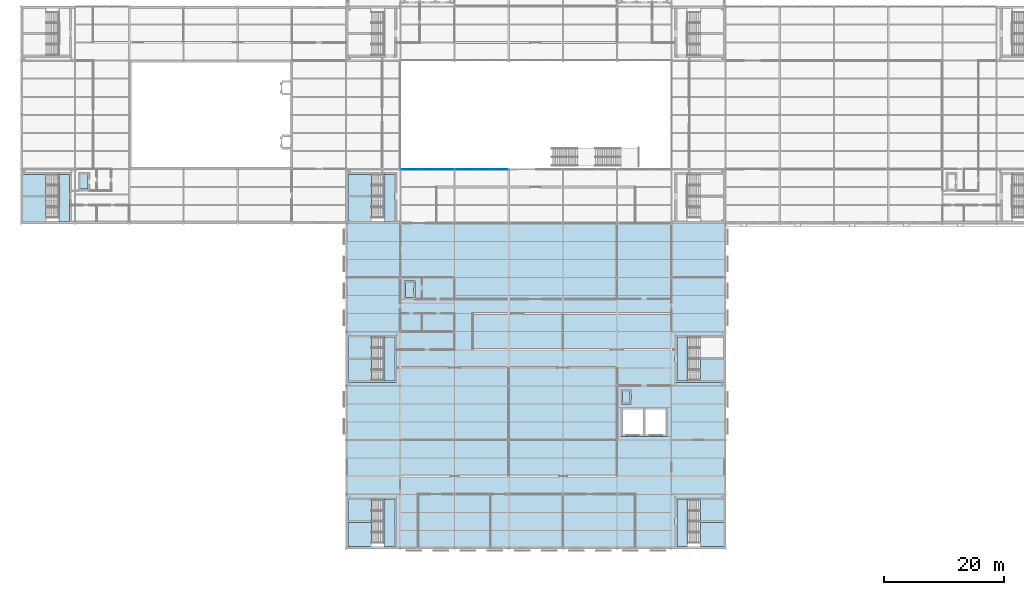
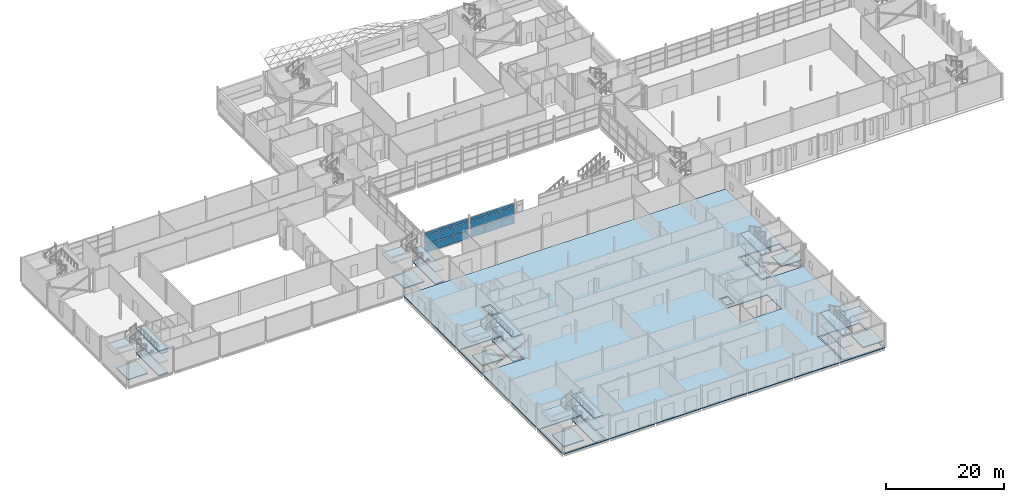
# One storey, part 67 of 112: 32 slabs, 18 plates, 8 elements without a shape of their own.
"""IFC4 building model written with IfcOpenShell, lengths in metres."""

from ifc_helpers import new_model, si_unit, direction, frame, origin, origin_2d, place, context, subcontext, project, spatial, polyline, rectangle, outline, extrude, material, layer, layer_set, type_object, element, aggregate, save


model = new_model("IFC4")

# Units and contexts
model_context = context("Model", 3, precision=1e-05, world=origin(), true_north=direction((0.0, 1.0)))
body_context = subcontext(model_context, "Body", "Model", "MODEL_VIEW")
ifc_project = project(units=[si_unit("LENGTHUNIT", "METRE"), si_unit("AREAUNIT", "SQUARE_METRE"), si_unit("VOLUMEUNIT", "CUBIC_METRE"), si_unit("PLANEANGLEUNIT", "RADIAN"), si_unit("MASSUNIT", "GRAM", prefix="KILO")], contexts=[model_context])

# Site, building, storey
site_placement = place(None, origin())
site = spatial("IfcSite", under=ifc_project, at=site_placement, CompositionType="ELEMENT")
building_placement = place(site_placement, origin())
building = spatial("IfcBuilding", under=site, at=building_placement, Name="Shorebreak Coast Museum", CompositionType="ELEMENT")
storey_placement = place(building_placement, frame((0.0, 0.0, 6.0)))
storey = spatial("IfcBuildingStorey", under=building, at=storey_placement, Name="L01", CompositionType="ELEMENT", Elevation=6.0)

# Curtain wall, plates
ifc_material_1 = material(Name="Aluminium", Category="aluminium")
ifc_layer_1 = layer(ifc_material_1, 0.1201171875)
ifc_layer_set_1 = layer_set([ifc_layer_1], Name="Aluminium")
curtain_wall_type = type_object("IfcCurtainWallType", Name="Atrium fire screen", PredefinedType="NOTDEFINED", material=ifc_layer_set_1)
curtain_wall_1_placement = place(storey_placement, origin())
curtain_wall_1 = element("IfcCurtainWall", 1, at=curtain_wall_1_placement, inside=storey, type_object=curtain_wall_type, Name="Atrium screen L01 S 1", PredefinedType="NOTDEFINED")
ifc_material_2 = material(Name="Glass", Category="glass")
ifc_layer_2 = layer(ifc_material_2, 0.034912109375)
ifc_layer_set_2 = layer_set([ifc_layer_2], Name="Glass")
plate_type = type_object("IfcPlateType", Name="Fire-resisting glass panel 35", PredefinedType="CURTAIN_PANEL", material=ifc_layer_set_2)
plate_1_placement = place(storey_placement, frame((64.6162109375, 62.93994140625, 0.119873046875), z_axis=(0.0, 0.0, 1.0), x_axis=(1.0, 0.0, 0.0)))
plate_1 = element("IfcPlate", 2, at=plate_1_placement, type_object=plate_type, Name="CW5 panel 1.1", PredefinedType="CURTAIN_PANEL", context=body_context, shape_type="SweptSolid", body=[
    extrude(rectangle(XDim=2.8212890625, YDim=0.034912109375, at=origin_2d()), origin(), (0.0, 0.0, 1.0), 1.6201171875),
])
plate_2_placement = place(storey_placement, frame((64.6162109375, 62.93994140625, 1.85986328125), z_axis=(0.0, 0.0, 1.0), x_axis=(1.0, 0.0, 0.0)))
plate_2 = element("IfcPlate", 3, at=plate_2_placement, type_object=plate_type, Name="CW5 panel 1.2", PredefinedType="CURTAIN_PANEL", context=body_context, shape_type="SweptSolid", body=[
    extrude(rectangle(XDim=2.8212890625, YDim=0.034912109375, at=origin_2d()), origin(), (0.0, 0.0, 1.0), 1.679931640625),
])
plate_3_placement = place(storey_placement, frame((64.6162109375, 62.93994140625, 3.66015625), z_axis=(0.0, 0.0, 1.0), x_axis=(1.0, 0.0, 0.0)))
plate_3 = element("IfcPlate", 4, at=plate_3_placement, type_object=plate_type, Name="CW5 panel 1.3", PredefinedType="CURTAIN_PANEL", context=body_context, shape_type="SweptSolid", body=[
    extrude(rectangle(XDim=2.8212890625, YDim=0.034912109375, at=origin_2d()), origin(), (0.0, 0.0, 1.0), 0.642333984375),
])
plate_4_placement = place(storey_placement, frame((67.5, 62.93994140625, 0.119873046875), z_axis=(0.0, 0.0, 1.0), x_axis=(1.0, 0.0, 0.0)))
plate_4 = element("IfcPlate", 5, at=plate_4_placement, type_object=plate_type, Name="CW5 panel 2.1", PredefinedType="CURTAIN_PANEL", context=body_context, shape_type="SweptSolid", body=[
    extrude(rectangle(XDim=2.846435546875, YDim=0.034912109375, at=origin_2d()), origin(), (0.0, 0.0, 1.0), 1.6201171875),
])
plate_5_placement = place(storey_placement, frame((67.5, 62.93994140625, 1.85986328125), z_axis=(0.0, 0.0, 1.0), x_axis=(1.0, 0.0, 0.0)))
plate_5 = element("IfcPlate", 6, at=plate_5_placement, type_object=plate_type, Name="CW5 panel 2.2", PredefinedType="CURTAIN_PANEL", context=body_context, shape_type="SweptSolid", body=[
    extrude(rectangle(XDim=2.846435546875, YDim=0.034912109375, at=origin_2d()), origin(), (0.0, 0.0, 1.0), 1.679931640625),
])
plate_6_placement = place(storey_placement, frame((67.5, 62.93994140625, 3.66015625), z_axis=(0.0, 0.0, 1.0), x_axis=(1.0, 0.0, 0.0)))
plate_6 = element("IfcPlate", 7, at=plate_6_placement, type_object=plate_type, Name="CW5 panel 2.3", PredefinedType="CURTAIN_PANEL", context=body_context, shape_type="SweptSolid", body=[
    extrude(rectangle(XDim=2.846435546875, YDim=0.034912109375, at=origin_2d()), origin(), (0.0, 0.0, 1.0), 0.642333984375),
])
plate_7_placement = place(storey_placement, frame((70.3837890625, 62.93994140625, 0.119873046875), z_axis=(0.0, 0.0, 1.0), x_axis=(1.0, 0.0, 0.0)))
plate_7 = element("IfcPlate", 8, at=plate_7_placement, type_object=plate_type, Name="CW5 panel 3.1", PredefinedType="CURTAIN_PANEL", context=body_context, shape_type="SweptSolid", body=[
    extrude(rectangle(XDim=2.8212890625, YDim=0.034912109375, at=origin_2d()), origin(), (0.0, 0.0, 1.0), 1.6201171875),
])
plate_8_placement = place(storey_placement, frame((70.3837890625, 62.93994140625, 1.85986328125), z_axis=(0.0, 0.0, 1.0), x_axis=(1.0, 0.0, 0.0)))
plate_8 = element("IfcPlate", 9, at=plate_8_placement, type_object=plate_type, Name="CW5 panel 3.2", PredefinedType="CURTAIN_PANEL", context=body_context, shape_type="SweptSolid", body=[
    extrude(rectangle(XDim=2.8212890625, YDim=0.034912109375, at=origin_2d()), origin(), (0.0, 0.0, 1.0), 1.679931640625),
])
plate_9_placement = place(storey_placement, frame((70.3837890625, 62.93994140625, 3.66015625), z_axis=(0.0, 0.0, 1.0), x_axis=(1.0, 0.0, 0.0)))
plate_9 = element("IfcPlate", 10, at=plate_9_placement, type_object=plate_type, Name="CW5 panel 3.3", PredefinedType="CURTAIN_PANEL", context=body_context, shape_type="SweptSolid", body=[
    extrude(rectangle(XDim=2.8212890625, YDim=0.034912109375, at=origin_2d()), origin(), (0.0, 0.0, 1.0), 0.642333984375),
])
aggregate(curtain_wall_1, [plate_1, plate_2, plate_3, plate_4, plate_5, plate_6, plate_7, plate_8, plate_9])

curtain_wall_2_placement = place(storey_placement, origin())
curtain_wall_2 = element("IfcCurtainWall", 11, at=curtain_wall_2_placement, inside=storey, type_object=curtain_wall_type, Name="Atrium screen L01 S 2", PredefinedType="NOTDEFINED")
plate_10_placement = place(storey_placement, frame((73.6162109375, 62.93994140625, 0.119873046875), z_axis=(0.0, 0.0, 1.0), x_axis=(1.0, 0.0, 0.0)))
plate_10 = element("IfcPlate", 12, at=plate_10_placement, type_object=plate_type, Name="CW6 panel 1.1", PredefinedType="CURTAIN_PANEL", context=body_context, shape_type="SweptSolid", body=[
    extrude(rectangle(XDim=2.8212890625, YDim=0.034912109375, at=origin_2d()), origin(), (0.0, 0.0, 1.0), 1.6201171875),
])
plate_11_placement = place(storey_placement, frame((73.6162109375, 62.93994140625, 1.85986328125), z_axis=(0.0, 0.0, 1.0), x_axis=(1.0, 0.0, 0.0)))
plate_11 = element("IfcPlate", 13, at=plate_11_placement, type_object=plate_type, Name="CW6 panel 1.2", PredefinedType="CURTAIN_PANEL", context=body_context, shape_type="SweptSolid", body=[
    extrude(rectangle(XDim=2.8212890625, YDim=0.034912109375, at=origin_2d()), origin(), (0.0, 0.0, 1.0), 1.679931640625),
])
plate_12_placement = place(storey_placement, frame((73.6162109375, 62.93994140625, 3.66015625), z_axis=(0.0, 0.0, 1.0), x_axis=(1.0, 0.0, 0.0)))
plate_12 = element("IfcPlate", 14, at=plate_12_placement, type_object=plate_type, Name="CW6 panel 1.3", PredefinedType="CURTAIN_PANEL", context=body_context, shape_type="SweptSolid", body=[
    extrude(rectangle(XDim=2.8212890625, YDim=0.034912109375, at=origin_2d()), origin(), (0.0, 0.0, 1.0), 0.642333984375),
])
plate_13_placement = place(storey_placement, frame((76.5, 62.93994140625, 0.119873046875), z_axis=(0.0, 0.0, 1.0), x_axis=(1.0, 0.0, 0.0)))
plate_13 = element("IfcPlate", 15, at=plate_13_placement, type_object=plate_type, Name="CW6 panel 2.1", PredefinedType="CURTAIN_PANEL", context=body_context, shape_type="SweptSolid", body=[
    extrude(rectangle(XDim=2.846435546875, YDim=0.034912109375, at=origin_2d()), origin(), (0.0, 0.0, 1.0), 1.6201171875),
])
plate_14_placement = place(storey_placement, frame((76.5, 62.93994140625, 1.85986328125), z_axis=(0.0, 0.0, 1.0), x_axis=(1.0, 0.0, 0.0)))
plate_14 = element("IfcPlate", 16, at=plate_14_placement, type_object=plate_type, Name="CW6 panel 2.2", PredefinedType="CURTAIN_PANEL", context=body_context, shape_type="SweptSolid", body=[
    extrude(rectangle(XDim=2.846435546875, YDim=0.034912109375, at=origin_2d()), origin(), (0.0, 0.0, 1.0), 1.679931640625),
])
plate_15_placement = place(storey_placement, frame((76.5, 62.93994140625, 3.66015625), z_axis=(0.0, 0.0, 1.0), x_axis=(1.0, 0.0, 0.0)))
plate_15 = element("IfcPlate", 17, at=plate_15_placement, type_object=plate_type, Name="CW6 panel 2.3", PredefinedType="CURTAIN_PANEL", context=body_context, shape_type="SweptSolid", body=[
    extrude(rectangle(XDim=2.846435546875, YDim=0.034912109375, at=origin_2d()), origin(), (0.0, 0.0, 1.0), 0.642333984375),
])
plate_16_placement = place(storey_placement, frame((79.3837890625, 62.93994140625, 0.119873046875), z_axis=(0.0, 0.0, 1.0), x_axis=(1.0, 0.0, 0.0)))
plate_16 = element("IfcPlate", 18, at=plate_16_placement, type_object=plate_type, Name="CW6 panel 3.1", PredefinedType="CURTAIN_PANEL", context=body_context, shape_type="SweptSolid", body=[
    extrude(rectangle(XDim=2.8212890625, YDim=0.034912109375, at=origin_2d()), origin(), (0.0, 0.0, 1.0), 1.6201171875),
])
plate_17_placement = place(storey_placement, frame((79.3837890625, 62.93994140625, 1.85986328125), z_axis=(0.0, 0.0, 1.0), x_axis=(1.0, 0.0, 0.0)))
plate_17 = element("IfcPlate", 19, at=plate_17_placement, type_object=plate_type, Name="CW6 panel 3.2", PredefinedType="CURTAIN_PANEL", context=body_context, shape_type="SweptSolid", body=[
    extrude(rectangle(XDim=2.8212890625, YDim=0.034912109375, at=origin_2d()), origin(), (0.0, 0.0, 1.0), 1.679931640625),
])
plate_18_placement = place(storey_placement, frame((79.3837890625, 62.93994140625, 3.66015625), z_axis=(0.0, 0.0, 1.0), x_axis=(1.0, 0.0, 0.0)))
plate_18 = element("IfcPlate", 20, at=plate_18_placement, type_object=plate_type, Name="CW6 panel 3.3", PredefinedType="CURTAIN_PANEL", context=body_context, shape_type="SweptSolid", body=[
    extrude(rectangle(XDim=2.8212890625, YDim=0.034912109375, at=origin_2d()), origin(), (0.0, 0.0, 1.0), 0.642333984375),
])
aggregate(curtain_wall_2, [plate_10, plate_11, plate_12, plate_13, plate_14, plate_15, plate_16, plate_17, plate_18])

# Slabs
ifc_material_3 = material(Name="Concrete N40 (40 MPa)", Category="concrete")
ifc_layer_3 = layer(ifc_material_3, 0.175048828125)
ifc_layer_set_3 = layer_set([ifc_layer_3], Name="Concrete N40 (40 MPa)")
slab_type_1 = type_object("IfcSlabType", Name="Floor slab 175 concrete N40", PredefinedType="FLOOR", material=ifc_layer_set_3)
slab_1_placement = place(storey_placement, frame((0.0, 0.0, -0.175048828125)))
element("IfcSlab", 21, at=slab_1_placement, inside=storey, type_object=slab_type_1, Name="Floor slab L01 south arm", PredefinedType="FLOOR", context=body_context, shape_type="SweptSolid", body=[
    extrude(outline(polyline([(117.0, 54.0), (54.0, 54.0), (54.0, 0.0), (117.0, 0.0), (117.0, 54.0)]), holes=[polyline([(99.60009765625, 18.60009765625), (99.60009765625, 23.39990234375), (107.39990234375, 23.39990234375), (107.39990234375, 18.60009765625), (99.60009765625, 18.60009765625)]), polyline([(99.60009765625, 26.39990234375), (101.39990234375, 26.39990234375), (101.39990234375, 24.0), (99.60009765625, 24.0), (99.60009765625, 26.39990234375)]), polyline([(65.39990234375, 44.39990234375), (65.39990234375, 41.39990234375), (63.60009765625, 41.39990234375), (63.60009765625, 44.39990234375), (65.39990234375, 44.39990234375)]), polyline([(62.39990234375, 0.300048828125), (54.300048828125, 0.300048828125), (54.300048828125, 8.39990234375), (62.39990234375, 8.39990234375), (62.39990234375, 0.300048828125)]), polyline([(108.60009765625, 0.300048828125), (108.60009765625, 8.39990234375), (116.699951171875, 8.39990234375), (116.699951171875, 0.300048828125), (108.60009765625, 0.300048828125)]), polyline([(54.300048828125, 35.39990234375), (62.39990234375, 35.39990234375), (62.39990234375, 27.60009765625), (54.300048828125, 27.60009765625), (54.300048828125, 35.39990234375)]), polyline([(116.699951171875, 35.39990234375), (116.699951171875, 27.60009765625), (108.60009765625, 27.60009765625), (108.60009765625, 35.39990234375), (116.699951171875, 35.39990234375)])]), origin(), (0.0, 0.0, 1.0), 0.175048828125),
])
ifc_material_4 = material(Name="Concrete N40 (40 MPa)", Category="concrete")
ifc_layer_4 = layer(ifc_material_4, 0.10009765625)
ifc_layer_set_4 = layer_set([ifc_layer_4], Name="Concrete N40 (40 MPa)")
slab_type_2 = type_object("IfcSlabType", Name="Riser platform 100", PredefinedType="USERDEFINED", material=ifc_layer_set_4)
slab_2_placement = place(storey_placement, frame((0.0, 0.0, -0.10009765625)))
element("IfcSlab", 22, at=slab_2_placement, inside=storey, type_object=slab_type_2, Name="Riser platform R-WC-W L01", ObjectType="RISER PLATFORM", PredefinedType="USERDEFINED", context=body_context, shape_type="SweptSolid", body=[
    extrude(outline(polyline([(9.85009765625, 59.64990234375), (11.14990234375, 59.64990234375), (11.14990234375, 62.14990234375), (9.85009765625, 62.14990234375), (9.85009765625, 59.64990234375)])), origin(), (0.0, 0.0, 1.0), 0.10009765625),
])
slab_3_placement = place(storey_placement, frame((0.0, 0.0, -0.10009765625)))
element("IfcSlab", 23, at=slab_3_placement, inside=storey, type_object=slab_type_2, Name="Riser platform R-WC-S L01", ObjectType="RISER PLATFORM", PredefinedType="USERDEFINED", context=body_context, shape_type="SweptSolid", body=[
    extrude(outline(polyline([(63.85009765625, 41.64990234375), (65.14990234375, 41.64990234375), (65.14990234375, 44.14990234375), (63.85009765625, 44.14990234375), (63.85009765625, 41.64990234375)])), origin(), (0.0, 0.0, 1.0), 0.10009765625),
])
slab_4_placement = place(storey_placement, frame((0.0, 0.0, -0.10009765625)))
element("IfcSlab", 24, at=slab_4_placement, inside=storey, type_object=slab_type_2, Name="Riser platform R-LBG L01", ObjectType="RISER PLATFORM", PredefinedType="USERDEFINED", context=body_context, shape_type="SweptSolid", body=[
    extrude(outline(polyline([(99.85009765625, 24.25), (101.14990234375, 24.25), (101.14990234375, 26.14990234375), (99.85009765625, 26.14990234375), (99.85009765625, 24.25)])), origin(), (0.0, 0.0, 1.0), 0.10009765625),
])

# Stair, slabs
ifc_material_5 = material(Name="Concrete N40 (40 MPa)", Category="concrete")
stair_type = type_object("IfcStairType", Name="Stair run 5 m", PredefinedType="DOUBLE_RETURN_STAIR", material=ifc_material_5)
stair_1_placement = place(storey_placement, origin())
stair_1 = element("IfcStair", 25, at=stair_1_placement, inside=storey, type_object=stair_type, Name="Exit stair ST01-L01", PredefinedType="DOUBLE_RETURN_STAIR")
ifc_material_6 = material(Name="Concrete N40 (40 MPa)", Category="concrete")
ifc_layer_5 = layer(ifc_material_6, 0.199951171875)
ifc_layer_set_5 = layer_set([ifc_layer_5], Name="Concrete N40 (40 MPa)")
slab_type_3 = type_object("IfcSlabType", Name="Stair landing 200", PredefinedType="LANDING", material=ifc_layer_set_5)
slab_5_placement = place(storey_placement, frame((0.0, 0.0, -0.199951171875)))
slab_5 = element("IfcSlab", 26, at=slab_5_placement, type_object=slab_type_3, Name="ST01-L01 landing 1", PredefinedType="LANDING", context=body_context, shape_type="SweptSolid", body=[
    extrude(outline(polyline([(60.300048828125, 54.300048828125), (62.10009765625, 54.300048828125), (62.10009765625, 62.10009765625), (60.300048828125, 62.10009765625), (60.300048828125, 54.300048828125)])), origin(), (0.0, 0.0, 1.0), 0.199951171875),
])
slab_6_placement = place(storey_placement, frame((0.0, 0.0, 2.300048828125)))
slab_6 = element("IfcSlab", 27, at=slab_6_placement, type_object=slab_type_3, Name="ST01-L01 landing 2", PredefinedType="LANDING", context=body_context, shape_type="SweptSolid", body=[
    extrude(outline(polyline([(60.300048828125, 54.300048828125), (62.10009765625, 54.300048828125), (62.10009765625, 62.10009765625), (60.300048828125, 62.10009765625), (60.300048828125, 54.300048828125)])), origin(), (0.0, 0.0, 1.0), 0.199951171875),
])
slab_7_placement = place(storey_placement, frame((0.0, 0.0, 1.050048828125)))
slab_7 = element("IfcSlab", 28, at=slab_7_placement, type_object=slab_type_3, Name="ST01-L01 landing 3", PredefinedType="LANDING", context=body_context, shape_type="SweptSolid", body=[
    extrude(outline(polyline([(54.300048828125, 54.300048828125), (58.199951171875, 54.300048828125), (58.199951171875, 58.35009765625), (54.300048828125, 58.35009765625), (54.300048828125, 54.300048828125)])), origin(), (0.0, 0.0, 1.0), 0.199951171875),
])
slab_8_placement = place(storey_placement, frame((0.0, 0.0, 3.550048828125)))
slab_8 = element("IfcSlab", 29, at=slab_8_placement, type_object=slab_type_3, Name="ST01-L01 landing 4", PredefinedType="LANDING", context=body_context, shape_type="SweptSolid", body=[
    extrude(outline(polyline([(54.300048828125, 58.64990234375), (58.199951171875, 58.64990234375), (58.199951171875, 62.10009765625), (54.300048828125, 62.10009765625), (54.300048828125, 58.64990234375)])), origin(), (0.0, 0.0, 1.0), 0.199951171875),
])
aggregate(stair_1, [slab_5, slab_6, slab_7, slab_8])

stair_2_placement = place(storey_placement, origin())
stair_2 = element("IfcStair", 30, at=stair_2_placement, inside=storey, type_object=stair_type, Name="Exit stair ST05-L01", PredefinedType="DOUBLE_RETURN_STAIR")
slab_9_placement = place(storey_placement, frame((0.0, 0.0, -0.199951171875)))
slab_9 = element("IfcSlab", 31, at=slab_9_placement, type_object=slab_type_3, Name="ST05-L01 landing 1", PredefinedType="LANDING", context=body_context, shape_type="SweptSolid", body=[
    extrude(outline(polyline([(6.300048828125, 54.300048828125), (8.10009765625, 54.300048828125), (8.10009765625, 62.10009765625), (6.300048828125, 62.10009765625), (6.300048828125, 54.300048828125)])), origin(), (0.0, 0.0, 1.0), 0.199951171875),
])
slab_10_placement = place(storey_placement, frame((0.0, 0.0, 2.300048828125)))
slab_10 = element("IfcSlab", 32, at=slab_10_placement, type_object=slab_type_3, Name="ST05-L01 landing 2", PredefinedType="LANDING", context=body_context, shape_type="SweptSolid", body=[
    extrude(outline(polyline([(6.300048828125, 54.300048828125), (8.10009765625, 54.300048828125), (8.10009765625, 62.10009765625), (6.300048828125, 62.10009765625), (6.300048828125, 54.300048828125)])), origin(), (0.0, 0.0, 1.0), 0.199951171875),
])
slab_11_placement = place(storey_placement, frame((0.0, 0.0, 1.050048828125)))
slab_11 = element("IfcSlab", 33, at=slab_11_placement, type_object=slab_type_3, Name="ST05-L01 landing 3", PredefinedType="LANDING", context=body_context, shape_type="SweptSolid", body=[
    extrude(outline(polyline([(0.300048828125, 54.300048828125), (4.199951171875, 54.300048828125), (4.199951171875, 58.35009765625), (0.300048828125, 58.35009765625), (0.300048828125, 54.300048828125)])), origin(), (0.0, 0.0, 1.0), 0.199951171875),
])
slab_12_placement = place(storey_placement, frame((0.0, 0.0, 3.550048828125)))
slab_12 = element("IfcSlab", 34, at=slab_12_placement, type_object=slab_type_3, Name="ST05-L01 landing 4", PredefinedType="LANDING", context=body_context, shape_type="SweptSolid", body=[
    extrude(outline(polyline([(0.300048828125, 58.64990234375), (4.199951171875, 58.64990234375), (4.199951171875, 62.10009765625), (0.300048828125, 62.10009765625), (0.300048828125, 58.64990234375)])), origin(), (0.0, 0.0, 1.0), 0.199951171875),
])
slab_13_placement = place(storey_placement, frame((0.0, 0.0, 4.800048828125)))
slab_13 = element("IfcSlab", 35, at=slab_13_placement, type_object=slab_type_3, Name="ST05-L01 landing 5", PredefinedType="LANDING", context=body_context, shape_type="SweptSolid", body=[
    extrude(outline(polyline([(6.300048828125, 54.300048828125), (8.10009765625, 54.300048828125), (8.10009765625, 62.10009765625), (6.300048828125, 62.10009765625), (6.300048828125, 54.300048828125)])), origin(), (0.0, 0.0, 1.0), 0.199951171875),
])
aggregate(stair_2, [slab_9, slab_10, slab_11, slab_12, slab_13])

stair_3_placement = place(storey_placement, origin())
stair_3 = element("IfcStair", 36, at=stair_3_placement, inside=storey, type_object=stair_type, Name="Exit stair ST11-L01", PredefinedType="DOUBLE_RETURN_STAIR")
slab_14_placement = place(storey_placement, frame((0.0, 0.0, -0.199951171875)))
slab_14 = element("IfcSlab", 37, at=slab_14_placement, type_object=slab_type_3, Name="ST11-L01 landing 1", PredefinedType="LANDING", context=body_context, shape_type="SweptSolid", body=[
    extrude(outline(polyline([(60.300048828125, 0.300048828125), (62.10009765625, 0.300048828125), (62.10009765625, 8.10009765625), (60.300048828125, 8.10009765625), (60.300048828125, 0.300048828125)])), origin(), (0.0, 0.0, 1.0), 0.199951171875),
])
slab_15_placement = place(storey_placement, frame((0.0, 0.0, 2.300048828125)))
slab_15 = element("IfcSlab", 38, at=slab_15_placement, type_object=slab_type_3, Name="ST11-L01 landing 2", PredefinedType="LANDING", context=body_context, shape_type="SweptSolid", body=[
    extrude(outline(polyline([(60.300048828125, 0.300048828125), (62.10009765625, 0.300048828125), (62.10009765625, 8.10009765625), (60.300048828125, 8.10009765625), (60.300048828125, 0.300048828125)])), origin(), (0.0, 0.0, 1.0), 0.199951171875),
])
slab_16_placement = place(storey_placement, frame((0.0, 0.0, 1.050048828125)))
slab_16 = element("IfcSlab", 39, at=slab_16_placement, type_object=slab_type_3, Name="ST11-L01 landing 3", PredefinedType="LANDING", context=body_context, shape_type="SweptSolid", body=[
    extrude(outline(polyline([(54.300048828125, 0.300048828125), (58.199951171875, 0.300048828125), (58.199951171875, 4.35009765625), (54.300048828125, 4.35009765625), (54.300048828125, 0.300048828125)])), origin(), (0.0, 0.0, 1.0), 0.199951171875),
])
slab_17_placement = place(storey_placement, frame((0.0, 0.0, 3.550048828125)))
slab_17 = element("IfcSlab", 40, at=slab_17_placement, type_object=slab_type_3, Name="ST11-L01 landing 4", PredefinedType="LANDING", context=body_context, shape_type="SweptSolid", body=[
    extrude(outline(polyline([(54.300048828125, 4.64990234375), (58.199951171875, 4.64990234375), (58.199951171875, 8.10009765625), (54.300048828125, 8.10009765625), (54.300048828125, 4.64990234375)])), origin(), (0.0, 0.0, 1.0), 0.199951171875),
])
slab_18_placement = place(storey_placement, frame((0.0, 0.0, 4.800048828125)))
slab_18 = element("IfcSlab", 41, at=slab_18_placement, type_object=slab_type_3, Name="ST11-L01 landing 5", PredefinedType="LANDING", context=body_context, shape_type="SweptSolid", body=[
    extrude(outline(polyline([(60.300048828125, 0.300048828125), (62.10009765625, 0.300048828125), (62.10009765625, 8.10009765625), (60.300048828125, 8.10009765625), (60.300048828125, 0.300048828125)])), origin(), (0.0, 0.0, 1.0), 0.199951171875),
])
aggregate(stair_3, [slab_14, slab_15, slab_16, slab_17, slab_18])

stair_4_placement = place(storey_placement, origin())
stair_4 = element("IfcStair", 42, at=stair_4_placement, inside=storey, type_object=stair_type, Name="Exit stair ST12-L01", PredefinedType="DOUBLE_RETURN_STAIR")
slab_19_placement = place(storey_placement, frame((0.0, 0.0, -0.199951171875)))
slab_19 = element("IfcSlab", 43, at=slab_19_placement, type_object=slab_type_3, Name="ST12-L01 landing 1", PredefinedType="LANDING", context=body_context, shape_type="SweptSolid", body=[
    extrude(outline(polyline([(108.89990234375, 0.300048828125), (110.699951171875, 0.300048828125), (110.699951171875, 8.10009765625), (108.89990234375, 8.10009765625), (108.89990234375, 0.300048828125)])), origin(), (0.0, 0.0, 1.0), 0.199951171875),
])
slab_20_placement = place(storey_placement, frame((0.0, 0.0, 2.300048828125)))
slab_20 = element("IfcSlab", 44, at=slab_20_placement, type_object=slab_type_3, Name="ST12-L01 landing 2", PredefinedType="LANDING", context=body_context, shape_type="SweptSolid", body=[
    extrude(outline(polyline([(108.89990234375, 0.300048828125), (110.699951171875, 0.300048828125), (110.699951171875, 8.10009765625), (108.89990234375, 8.10009765625), (108.89990234375, 0.300048828125)])), origin(), (0.0, 0.0, 1.0), 0.199951171875),
])
slab_21_placement = place(storey_placement, frame((0.0, 0.0, 1.050048828125)))
slab_21 = element("IfcSlab", 45, at=slab_21_placement, type_object=slab_type_3, Name="ST12-L01 landing 3", PredefinedType="LANDING", context=body_context, shape_type="SweptSolid", body=[
    extrude(outline(polyline([(112.800048828125, 0.300048828125), (116.699951171875, 0.300048828125), (116.699951171875, 4.35009765625), (112.800048828125, 4.35009765625), (112.800048828125, 0.300048828125)])), origin(), (0.0, 0.0, 1.0), 0.199951171875),
])
slab_22_placement = place(storey_placement, frame((0.0, 0.0, 3.550048828125)))
slab_22 = element("IfcSlab", 46, at=slab_22_placement, type_object=slab_type_3, Name="ST12-L01 landing 4", PredefinedType="LANDING", context=body_context, shape_type="SweptSolid", body=[
    extrude(outline(polyline([(112.800048828125, 4.64990234375), (116.699951171875, 4.64990234375), (116.699951171875, 8.10009765625), (112.800048828125, 8.10009765625), (112.800048828125, 4.64990234375)])), origin(), (0.0, 0.0, 1.0), 0.199951171875),
])
slab_23_placement = place(storey_placement, frame((0.0, 0.0, 4.800048828125)))
slab_23 = element("IfcSlab", 47, at=slab_23_placement, type_object=slab_type_3, Name="ST12-L01 landing 5", PredefinedType="LANDING", context=body_context, shape_type="SweptSolid", body=[
    extrude(outline(polyline([(108.89990234375, 0.300048828125), (110.699951171875, 0.300048828125), (110.699951171875, 8.10009765625), (108.89990234375, 8.10009765625), (108.89990234375, 0.300048828125)])), origin(), (0.0, 0.0, 1.0), 0.199951171875),
])
aggregate(stair_4, [slab_19, slab_20, slab_21, slab_22, slab_23])

stair_5_placement = place(storey_placement, origin())
stair_5 = element("IfcStair", 48, at=stair_5_placement, inside=storey, type_object=stair_type, Name="Exit stair ST13-L01", PredefinedType="DOUBLE_RETURN_STAIR")
slab_24_placement = place(storey_placement, frame((0.0, 0.0, -0.199951171875)))
slab_24 = element("IfcSlab", 49, at=slab_24_placement, type_object=slab_type_3, Name="ST13-L01 landing 1", PredefinedType="LANDING", context=body_context, shape_type="SweptSolid", body=[
    extrude(outline(polyline([(60.300048828125, 27.89990234375), (62.10009765625, 27.89990234375), (62.10009765625, 35.10009765625), (60.300048828125, 35.10009765625), (60.300048828125, 27.89990234375)])), origin(), (0.0, 0.0, 1.0), 0.199951171875),
])
slab_25_placement = place(storey_placement, frame((0.0, 0.0, 2.300048828125)))
slab_25 = element("IfcSlab", 50, at=slab_25_placement, type_object=slab_type_3, Name="ST13-L01 landing 2", PredefinedType="LANDING", context=body_context, shape_type="SweptSolid", body=[
    extrude(outline(polyline([(60.300048828125, 27.89990234375), (62.10009765625, 27.89990234375), (62.10009765625, 35.10009765625), (60.300048828125, 35.10009765625), (60.300048828125, 27.89990234375)])), origin(), (0.0, 0.0, 1.0), 0.199951171875),
])
slab_26_placement = place(storey_placement, frame((0.0, 0.0, 1.050048828125)))
slab_26 = element("IfcSlab", 51, at=slab_26_placement, type_object=slab_type_3, Name="ST13-L01 landing 3", PredefinedType="LANDING", context=body_context, shape_type="SweptSolid", body=[
    extrude(outline(polyline([(54.300048828125, 27.89990234375), (58.199951171875, 27.89990234375), (58.199951171875, 31.35009765625), (54.300048828125, 31.35009765625), (54.300048828125, 27.89990234375)])), origin(), (0.0, 0.0, 1.0), 0.199951171875),
])
slab_27_placement = place(storey_placement, frame((0.0, 0.0, 3.550048828125)))
slab_27 = element("IfcSlab", 52, at=slab_27_placement, type_object=slab_type_3, Name="ST13-L01 landing 4", PredefinedType="LANDING", context=body_context, shape_type="SweptSolid", body=[
    extrude(outline(polyline([(54.300048828125, 31.64990234375), (58.199951171875, 31.64990234375), (58.199951171875, 35.10009765625), (54.300048828125, 35.10009765625), (54.300048828125, 31.64990234375)])), origin(), (0.0, 0.0, 1.0), 0.199951171875),
])
slab_28_placement = place(storey_placement, frame((0.0, 0.0, 4.800048828125)))
slab_28 = element("IfcSlab", 53, at=slab_28_placement, type_object=slab_type_3, Name="ST13-L01 landing 5", PredefinedType="LANDING", context=body_context, shape_type="SweptSolid", body=[
    extrude(outline(polyline([(60.300048828125, 27.89990234375), (62.10009765625, 27.89990234375), (62.10009765625, 35.10009765625), (60.300048828125, 35.10009765625), (60.300048828125, 27.89990234375)])), origin(), (0.0, 0.0, 1.0), 0.199951171875),
])
aggregate(stair_5, [slab_24, slab_25, slab_26, slab_27, slab_28])

stair_6_placement = place(storey_placement, origin())
stair_6 = element("IfcStair", 54, at=stair_6_placement, inside=storey, type_object=stair_type, Name="Exit stair ST14-L01", PredefinedType="DOUBLE_RETURN_STAIR")
slab_29_placement = place(storey_placement, frame((0.0, 0.0, -0.199951171875)))
slab_29 = element("IfcSlab", 55, at=slab_29_placement, type_object=slab_type_3, Name="ST14-L01 landing 1", PredefinedType="LANDING", context=body_context, shape_type="SweptSolid", body=[
    extrude(outline(polyline([(108.89990234375, 27.89990234375), (110.699951171875, 27.89990234375), (110.699951171875, 35.10009765625), (108.89990234375, 35.10009765625), (108.89990234375, 27.89990234375)])), origin(), (0.0, 0.0, 1.0), 0.199951171875),
])
slab_30_placement = place(storey_placement, frame((0.0, 0.0, 2.300048828125)))
slab_30 = element("IfcSlab", 56, at=slab_30_placement, type_object=slab_type_3, Name="ST14-L01 landing 2", PredefinedType="LANDING", context=body_context, shape_type="SweptSolid", body=[
    extrude(outline(polyline([(108.89990234375, 27.89990234375), (110.699951171875, 27.89990234375), (110.699951171875, 35.10009765625), (108.89990234375, 35.10009765625), (108.89990234375, 27.89990234375)])), origin(), (0.0, 0.0, 1.0), 0.199951171875),
])
slab_31_placement = place(storey_placement, frame((0.0, 0.0, 1.050048828125)))
slab_31 = element("IfcSlab", 57, at=slab_31_placement, type_object=slab_type_3, Name="ST14-L01 landing 3", PredefinedType="LANDING", context=body_context, shape_type="SweptSolid", body=[
    extrude(outline(polyline([(112.800048828125, 27.89990234375), (116.699951171875, 27.89990234375), (116.699951171875, 31.35009765625), (112.800048828125, 31.35009765625), (112.800048828125, 27.89990234375)])), origin(), (0.0, 0.0, 1.0), 0.199951171875),
])
slab_32_placement = place(storey_placement, frame((0.0, 0.0, 4.800048828125)))
slab_32 = element("IfcSlab", 58, at=slab_32_placement, type_object=slab_type_3, Name="ST14-L01 landing 5", PredefinedType="LANDING", context=body_context, shape_type="SweptSolid", body=[
    extrude(outline(polyline([(108.89990234375, 27.89990234375), (110.699951171875, 27.89990234375), (110.699951171875, 35.10009765625), (108.89990234375, 35.10009765625), (108.89990234375, 27.89990234375)])), origin(), (0.0, 0.0, 1.0), 0.199951171875),
])
aggregate(stair_6, [slab_29, slab_30, slab_31, slab_32])

save(model, "model.ifc")
